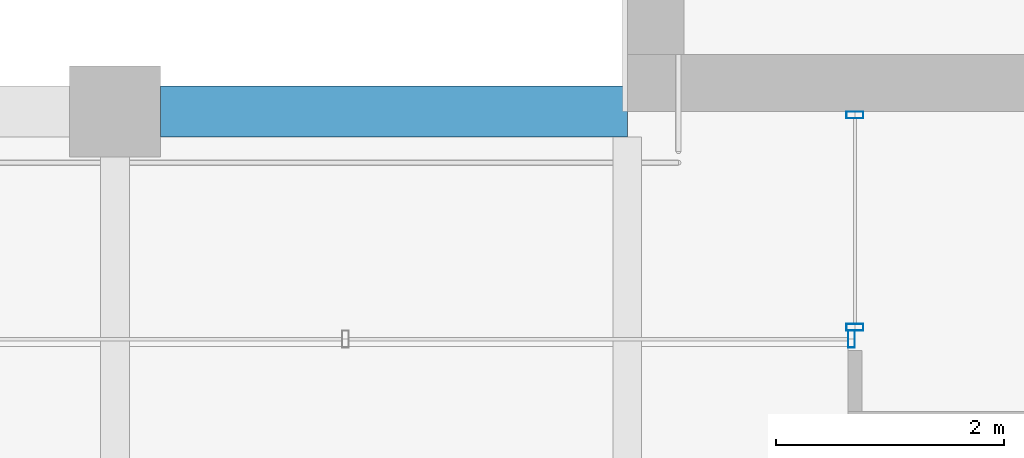
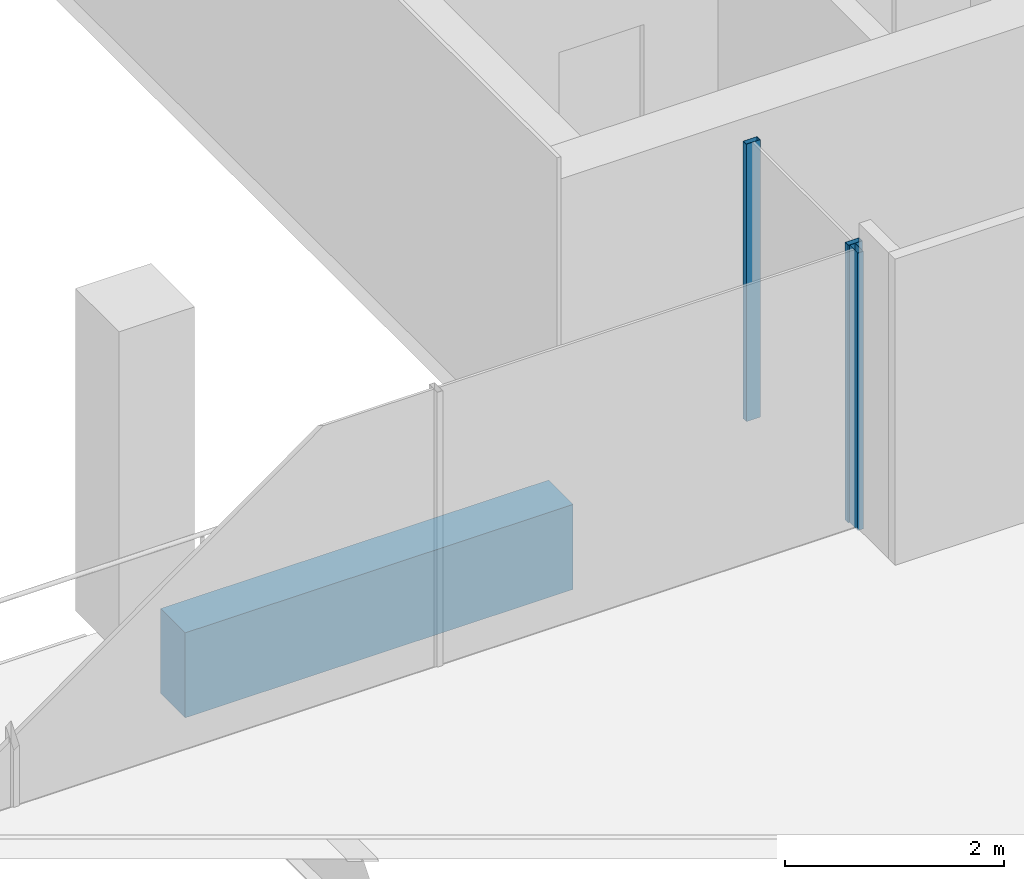
# One storey, part 8 of 62: 3 members, 1 beam, 2 elements without a shape of their own.
"""IFC4 building model written with IfcOpenShell, lengths in metres."""

from ifc_helpers import new_model, si_unit, direction, frame, origin, origin_2d, place, context, subcontext, project, spatial, rectangle, hollow_rectangle, extrude, material, material_profile, profile_set, type_object, element, aggregate, save


model = new_model("IFC4")

# Units and contexts
model_context = context("Model", 3, precision=1e-05, world=origin(), true_north=direction((0.0, 1.0)))
body_context = subcontext(model_context, "Body", "Model", "MODEL_VIEW")
ifc_project = project(units=[si_unit("LENGTHUNIT", "METRE"), si_unit("AREAUNIT", "SQUARE_METRE"), si_unit("VOLUMEUNIT", "CUBIC_METRE"), si_unit("PLANEANGLEUNIT", "RADIAN"), si_unit("MASSUNIT", "GRAM", prefix="KILO")], contexts=[model_context])

# Site, building, storey
site_placement = place(None, origin())
site = spatial("IfcSite", under=ifc_project, at=site_placement, CompositionType="ELEMENT")
building_placement = place(site_placement, origin())
building = spatial("IfcBuilding", under=site, at=building_placement, Name="Altepetl Exchange Towers", CompositionType="ELEMENT")
storey_placement = place(building_placement, frame((0.0, 0.0, 210.0)))
storey = spatial("IfcBuildingStorey", under=building, at=storey_placement, Name="L53", CompositionType="ELEMENT", Elevation=210.0)

# Curtain wall, members
ifc_material_1 = material(Name="Aluminium 6063-T6 glazing", Category="aluminium")
curtain_wall_type = type_object("IfcCurtainWallType", Name="Loggia glazing system", PredefinedType="NOTDEFINED", material=ifc_material_1)
curtain_wall_1_placement = place(storey_placement, origin())
curtain_wall_1 = element("IfcCurtainWall", 1, at=curtain_wall_1_placement, inside=storey, type_object=curtain_wall_type, Name="CW1 run", PredefinedType="NOTDEFINED")
ifc_material_2 = material(Name="Aluminium 6063-T6", Category="aluminium")
ifc_material_profile_1 = material_profile(ifc_material_2, hollow_rectangle(XDim=0.06005859375, YDim=0.14990234375, WallThickness=0.0029296875, at=origin_2d()), Name="Mullion 60x150 aluminium")
ifc_profile_set_1 = profile_set([ifc_material_profile_1], Name="Aluminium 6063-T6")
member_type = type_object("IfcMemberType", Name="Mullion 60x150 aluminium", PredefinedType="MULLION", material=ifc_profile_set_1)
member_1_placement = place(storey_placement, frame((42.5, 40.469970703125, 0.0), z_axis=(0.0, 0.0, 1.0), x_axis=(0.0, -1.0, 0.0)))
member_1 = element("IfcMember", 2, at=member_1_placement, type_object=member_type, Name="MU1 mullion", PredefinedType="MULLION", context=body_context, shape_type="SweptSolid", body=[
    extrude(hollow_rectangle(XDim=0.06005859375, YDim=0.14990234375, WallThickness=0.0029296875, at=origin_2d()), origin(), (0.0, 0.0, 1.0), 3.10009765625),
])
member_2_placement = place(storey_placement, frame((42.5, 38.60498046875, 0.0), z_axis=(0.0, 0.0, 1.0), x_axis=(0.0, -1.0, 0.0)))
member_2 = element("IfcMember", 3, at=member_2_placement, type_object=member_type, Name="MU1 mullion", PredefinedType="MULLION", context=body_context, shape_type="SweptSolid", body=[
    extrude(hollow_rectangle(XDim=0.06005859375, YDim=0.14990234375, WallThickness=0.0029296875, at=origin_2d()), origin(), (0.0, 0.0, 1.0), 3.10009765625),
])
aggregate(curtain_wall_1, [member_1, member_2])

# Curtain wall, member
curtain_wall_2_placement = place(storey_placement, origin())
curtain_wall_2 = element("IfcCurtainWall", 4, at=curtain_wall_2_placement, inside=storey, type_object=curtain_wall_type, Name="CW1 run", PredefinedType="NOTDEFINED")
member_3_placement = place(storey_placement, frame((42.469970703125, 38.5, 0.0), z_axis=(0.0, 0.0, 1.0), x_axis=(-1.0, 0.0, 0.0)))
member_3 = element("IfcMember", 5, at=member_3_placement, type_object=member_type, Name="MU1 mullion", PredefinedType="MULLION", context=body_context, shape_type="SweptSolid", body=[
    extrude(hollow_rectangle(XDim=0.06005859375, YDim=0.14990234375, WallThickness=0.0029296875, at=origin_2d()), origin(), (0.0, 0.0, 1.0), 3.10009765625),
])
aggregate(curtain_wall_2, [member_3])

# Beam
ifc_material_3 = material(Name="Concrete C50/60 precast with tezontle facing", Category="concrete")
ifc_material_profile_2 = material_profile(ifc_material_3, rectangle(XDim=0.449951171875, YDim=0.949951171875, at=origin_2d()), Name="450 x 950")
ifc_profile_set_2 = profile_set([ifc_material_profile_2], Name="Concrete C50/60 precast with tezontle facing")
beam_type = type_object("IfcBeamType", Name="Spandrel beam 450x950 tezontle", PredefinedType="SPANDREL", material=ifc_profile_set_2)
beam_placement = place(storey_placement, frame((40.5, 40.5, -0.625), z_axis=(-1.0, 0.0, 0.0), x_axis=(0.0, -1.0, 0.0)))
element("IfcBeam", 6, at=beam_placement, inside=storey, type_object=beam_type, Name="sp:A:L53:033", PredefinedType="SPANDREL", context=body_context, shape_type="SweptSolid", body=[
    extrude(rectangle(XDim=0.449951171875, YDim=0.949951171875, at=origin_2d()), origin(), (0.0, 0.0, 1.0), 4.10009765625),
])

save(model, "model.ifc")
